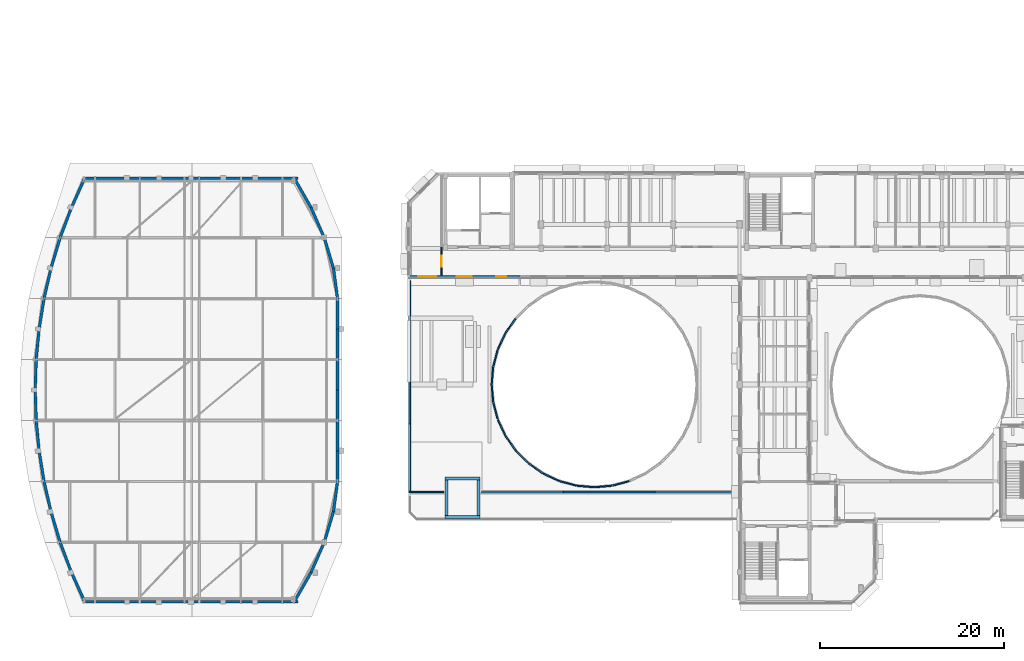
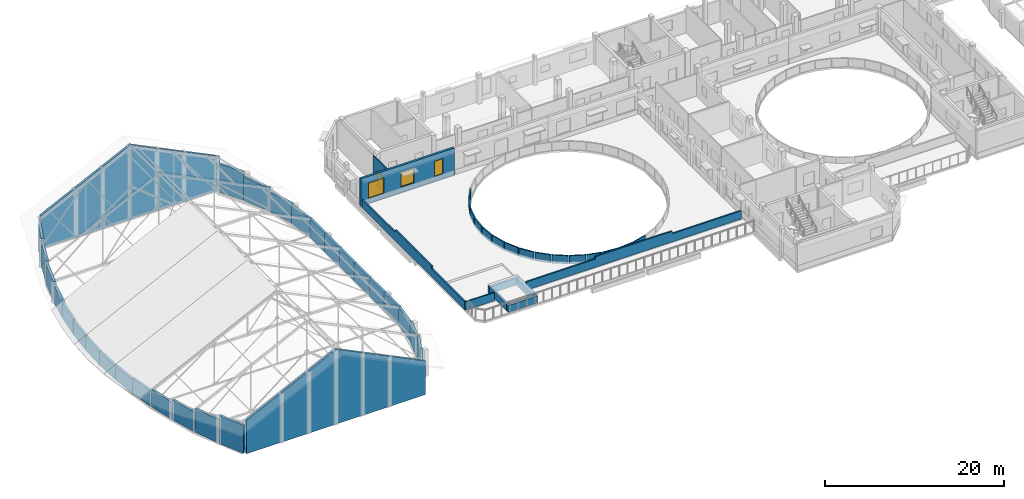
# One storey, part 59 of 78: 54 walls, 3 windows, 1 door, 4 openings.
"""IFC4 building model written with IfcOpenShell, lengths in metres."""

from ifc_helpers import new_model, si_unit, direction, frame, frame_2d, origin, place, context, subcontext, project, spatial, polyline, rectangle, outline, extrude, material, layer, layer_set, type_object, element, fill, save


model = new_model("IFC4")

# Units and contexts
model_context = context("Model", 3, precision=1e-05, world=origin(), true_north=direction((0.0, 1.0)))
body_context = subcontext(model_context, "Body", "Model", "MODEL_VIEW")
ifc_project = project(units=[si_unit("LENGTHUNIT", "METRE"), si_unit("AREAUNIT", "SQUARE_METRE"), si_unit("VOLUMEUNIT", "CUBIC_METRE"), si_unit("PLANEANGLEUNIT", "RADIAN"), si_unit("MASSUNIT", "GRAM", prefix="KILO")], contexts=[model_context])

# Site, building, storey
site_placement = place(None, origin())
site = spatial("IfcSite", under=ifc_project, at=site_placement, CompositionType="ELEMENT")
building_placement = place(site_placement, origin())
building = spatial("IfcBuilding", under=site, at=building_placement, Name="Kelanivale Promenade Academy", CompositionType="ELEMENT")
storey_placement = place(building_placement, frame((0.0, 0.0, 16.199951171875)))
storey = spatial("IfcBuildingStorey", under=building, at=storey_placement, Name="L04", CompositionType="ELEMENT", Elevation=16.199951171875)

# Walls
ifc_material_1 = material(Name="Concrete C40/50", Category="concrete")
ifc_layer_1 = layer(ifc_material_1, 0.330078125)
ifc_layer_set_1 = layer_set([ifc_layer_1], Name="Concrete C40/50")
wall_type_1 = type_object("IfcWallType", Name="CW-S1 Wall 330mm", PredefinedType="SHEAR", material=ifc_layer_set_1)
for number, where, z_axis, x_axis, name in (
    (1, (47.155029296875, 42.39990234375, 0.0), (0.0, 0.0, 1.0), (1.0, 0.0, 0.0), "CORE-6 lift overrun shaft wall S"),
    (2, (47.155029296875, 46.590087890625, 0.0), (0.0, 0.0, 1.0), (1.0, 0.0, 0.0), "CORE-6 lift overrun shaft wall N"),
):
    element("IfcWall", number, at=place(storey_placement, frame(where, z_axis=z_axis, x_axis=x_axis)), inside=storey, type_object=wall_type_1, Name=name, PredefinedType="SHEAR", context=body_context, shape_type="SweptSolid", body=[
        extrude(rectangle(XDim=3.81005859375, YDim=0.330078125, at=frame_2d((1.905029296875, 0.0))), origin(), (0.0, 0.0, 1.0), 0.9599609375),
    ])
for number, where, z_axis, x_axis, name in (
    (3, (47.320068359375, 42.56494140625, 0.0), (0.0, 0.0, 1.0), (0.0, 1.0, 0.0), "CORE-6 lift overrun shaft wall W"),
    (4, (50.800048828125, 42.56494140625, 0.0), (0.0, 0.0, 1.0), (0.0, 1.0, 0.0), "CORE-6 lift overrun shaft wall E"),
):
    element("IfcWall", number, at=place(storey_placement, frame(where, z_axis=z_axis, x_axis=x_axis)), inside=storey, type_object=wall_type_1, Name=name, PredefinedType="SHEAR", context=body_context, shape_type="SweptSolid", body=[
        extrude(rectangle(XDim=3.860107421875, YDim=0.330078125, at=frame_2d((1.93017578125, 0.0))), origin(), (0.0, 0.0, 1.0), 0.9599609375),
    ])
ifc_material_2 = material(Name="Insulated terracotta-clad masonry wall 300 mm", Category="masonry")
ifc_layer_2 = layer(ifc_material_2, 0.300048828125)
ifc_layer_set_2 = layer_set([ifc_layer_2], Name="Insulated terracotta-clad masonry wall 300 mm")
wall_type_2 = type_object("IfcWallType", Name="EW-01 Wall 300mm", PredefinedType="SOLIDWALL", material=ifc_layer_set_2)
wall_1_placement = place(storey_placement, frame((6.5029296875, 36.31396484375, 0.0), z_axis=(0.0, 0.0, 1.0), x_axis=(0.414382257429, -0.910102930842, 0.0)))
element("IfcWall", 5, at=wall_1_placement, inside=storey, type_object=wall_type_2, Name="Sports Hall Crescent Pavilion curved terracotta wall L04", PredefinedType="SOLIDWALL", context=body_context, shape_type="SweptSolid", body=[
    extrude(rectangle(XDim=3.3017578125, YDim=0.300048828125, at=frame_2d((1.65087890625, 0.0))), origin(), (0.0, 0.0, 1.0), 3.825927734375),
])
wall_2_placement = place(storey_placement, frame((5.260986328125, 39.62890625, 0.0), z_axis=(0.0, 0.0, 1.0), x_axis=(0.350836219137, -0.936436835746, 0.0)))
element("IfcWall", 6, at=wall_2_placement, inside=storey, type_object=wall_type_2, Name="Sports Hall Crescent Pavilion curved terracotta wall L04", PredefinedType="SOLIDWALL", context=body_context, shape_type="SweptSolid", body=[
    extrude(rectangle(XDim=3.5400390625, YDim=0.300048828125, at=frame_2d((1.77001953125, 0.0))), origin(), (0.0, 0.0, 1.0), 3.218994140625),
])
wall_3_placement = place(storey_placement, frame((4.26806640625, 42.943115234375, 0.0), z_axis=(0.0, 0.0, 1.0), x_axis=(0.286991798892, -0.957933039084, 0.0)))
element("IfcWall", 7, at=wall_3_placement, inside=storey, type_object=wall_type_2, Name="Sports Hall Crescent Pavilion curved terracotta wall L04", PredefinedType="SOLIDWALL", context=body_context, shape_type="SweptSolid", body=[
    extrude(rectangle(XDim=3.459716796875, YDim=0.300048828125, at=frame_2d((1.72998046875, 0.0))), origin(), (0.0, 0.0, 1.0), 2.734130859375),
])
wall_4_placement = place(storey_placement, frame((3.509033203125, 46.257080078125, 0.0), z_axis=(0.0, 0.0, 1.0), x_axis=(0.223259599234, -0.974759022195, 0.0)))
element("IfcWall", 8, at=wall_4_placement, inside=storey, type_object=wall_type_2, Name="Sports Hall Crescent Pavilion curved terracotta wall L04", PredefinedType="SOLIDWALL", context=body_context, shape_type="SweptSolid", body=[
    extrude(rectangle(XDim=3.399658203125, YDim=0.300048828125, at=frame_2d((1.69970703125, 0.0))), origin(), (0.0, 0.0, 1.0), 2.364013671875),
])
wall_5_placement = place(storey_placement, frame((2.97412109375, 49.571044921875, 0.0), z_axis=(0.0, 0.0, 1.0), x_axis=(0.159349054769, -0.987222304623, 0.0)))
element("IfcWall", 9, at=wall_5_placement, inside=storey, type_object=wall_type_2, Name="Sports Hall Crescent Pavilion curved terracotta wall L04", PredefinedType="SOLIDWALL", context=body_context, shape_type="SweptSolid", body=[
    extrude(rectangle(XDim=3.35693359375, YDim=0.300048828125, at=frame_2d((1.678466796875, 0.0))), origin(), (0.0, 0.0, 1.0), 2.10205078125),
])
wall_6_placement = place(storey_placement, frame((2.656005859375, 52.885986328125, 0.0), z_axis=(0.0, 0.0, 1.0), x_axis=(0.095525216858, -0.995427010355, 0.0)))
element("IfcWall", 10, at=wall_6_placement, inside=storey, type_object=wall_type_2, Name="Sports Hall Crescent Pavilion curved terracotta wall L04", PredefinedType="SOLIDWALL", context=body_context, shape_type="SweptSolid", body=[
    extrude(rectangle(XDim=3.330078125, YDim=0.300048828125, at=frame_2d((1.6650390625, 0.0))), origin(), (0.0, 0.0, 1.0), 1.947021484375),
])
for number, where, z_axis, x_axis, name in (
    (11, (2.550048828125, 56.199951171875, 0.0), (0.0, 0.0, 1.0), (0.031956559473, -0.999489258725, 0.0), "Sports Hall Crescent Pavilion curved terracotta wall L04"),
    (12, (2.656005859375, 59.513916015625, 0.0), (0.0, 0.0, 1.0), (-0.031956559473, -0.999489258725, 0.0), "Sports Hall Crescent Pavilion curved terracotta wall L04"),
):
    element("IfcWall", number, at=place(storey_placement, frame(where, z_axis=z_axis, x_axis=x_axis)), inside=storey, type_object=wall_type_2, Name=name, PredefinedType="SOLIDWALL", context=body_context, shape_type="SweptSolid", body=[
        extrude(rectangle(XDim=3.315673828125, YDim=0.300048828125, at=frame_2d((1.65771484375, 0.0))), origin(), (0.0, 0.0, 1.0), 1.89501953125),
    ])
wall_7_placement = place(storey_placement, frame((2.97412109375, 62.8291015625, 0.0), z_axis=(0.0, 0.0, 1.0), x_axis=(-0.095518246268, -0.995427679256, 0.0)))
element("IfcWall", 13, at=wall_7_placement, inside=storey, type_object=wall_type_2, Name="Sports Hall Crescent Pavilion curved terracotta wall L04", PredefinedType="SOLIDWALL", context=body_context, shape_type="SweptSolid", body=[
    extrude(rectangle(XDim=3.330322265625, YDim=0.300048828125, at=frame_2d((1.6650390625, 0.0))), origin(), (0.0, 0.0, 1.0), 1.947021484375),
])
wall_8_placement = place(storey_placement, frame((3.509033203125, 66.14306640625, 0.0), z_axis=(0.0, 0.0, 1.0), x_axis=(-0.159349054769, -0.987222304623, 0.0)))
element("IfcWall", 14, at=wall_8_placement, inside=storey, type_object=wall_type_2, Name="Sports Hall Crescent Pavilion curved terracotta wall L04", PredefinedType="SOLIDWALL", context=body_context, shape_type="SweptSolid", body=[
    extrude(rectangle(XDim=3.35693359375, YDim=0.300048828125, at=frame_2d((1.678466796875, 0.0))), origin(), (0.0, 0.0, 1.0), 2.10205078125),
])
wall_9_placement = place(storey_placement, frame((4.26806640625, 69.45703125, 0.0), z_axis=(0.0, 0.0, 1.0), x_axis=(-0.223259599234, -0.974759022195, 0.0)))
element("IfcWall", 15, at=wall_9_placement, inside=storey, type_object=wall_type_2, Name="Sports Hall Crescent Pavilion curved terracotta wall L04", PredefinedType="SOLIDWALL", context=body_context, shape_type="SweptSolid", body=[
    extrude(rectangle(XDim=3.399658203125, YDim=0.300048828125, at=frame_2d((1.69970703125, 0.0))), origin(), (0.0, 0.0, 1.0), 2.364013671875),
])
wall_10_placement = place(storey_placement, frame((5.260986328125, 72.77099609375, 0.0), z_axis=(0.0, 0.0, 1.0), x_axis=(-0.287011200065, -0.957927226379, 0.0)))
element("IfcWall", 16, at=wall_10_placement, inside=storey, type_object=wall_type_2, Name="Sports Hall Crescent Pavilion curved terracotta wall L04", PredefinedType="SOLIDWALL", context=body_context, shape_type="SweptSolid", body=[
    extrude(rectangle(XDim=3.45947265625, YDim=0.300048828125, at=frame_2d((1.729736328125, 0.0))), origin(), (0.0, 0.0, 1.0), 2.734130859375),
])
wall_11_placement = place(storey_placement, frame((6.5029296875, 76.0859375, 0.0), z_axis=(0.0, 0.0, 1.0), x_axis=(-0.350836219137, -0.936436835746, 0.0)))
element("IfcWall", 17, at=wall_11_placement, inside=storey, type_object=wall_type_2, Name="Sports Hall Crescent Pavilion curved terracotta wall L04", PredefinedType="SOLIDWALL", context=body_context, shape_type="SweptSolid", body=[
    extrude(rectangle(XDim=3.5400390625, YDim=0.300048828125, at=frame_2d((1.77001953125, 0.0))), origin(), (0.0, 0.0, 1.0), 3.218994140625),
])
wall_12_placement = place(storey_placement, frame((7.87109375, 79.091064453125, 0.0), z_axis=(0.0, 0.0, 1.0), x_axis=(-0.414354372568, -0.910115626684, 0.0)))
element("IfcWall", 18, at=wall_12_placement, inside=storey, type_object=wall_type_2, Name="Sports Hall Crescent Pavilion curved terracotta wall L04", PredefinedType="SOLIDWALL", context=body_context, shape_type="SweptSolid", body=[
    extrude(rectangle(XDim=3.302001953125, YDim=0.300048828125, at=frame_2d((1.65087890625, 0.0))), origin(), (0.0, 0.0, 1.0), 3.825927734375),
])
wall_13_placement = place(storey_placement, frame((8.011962890625, 33.14990234375, 0.0), z_axis=(0.0, 0.0, 1.0), x_axis=(1.0, 0.0, 0.0)))
element("IfcWall", 19, at=wall_13_placement, inside=storey, type_object=wall_type_2, Name="Sports Hall Crescent Pavilion raked gable closure wall", PredefinedType="SOLIDWALL", context=body_context, shape_type="SweptSolid", body=[
    extrude(outline(polyline([(0.0, 0.0), (23.137939453125, 0.0), (23.137939453125, 4.5810546875), (11.587890625, 10.22216796875), (0.0, 4.56298828125), (0.0, 0.0)])), frame((0.0, 0.14990234375, 0.0), z_axis=(0.0, -1.0, 0.0), x_axis=(1.0, 0.0, 0.0)), (0.0, 0.0, 1.0), 0.300048828125),
])
wall_14_placement = place(storey_placement, frame((31.14990234375, 79.25, 0.0), z_axis=(0.0, 0.0, 1.0), x_axis=(-1.0, 0.0, 0.0)))
element("IfcWall", 20, at=wall_14_placement, inside=storey, type_object=wall_type_2, Name="Sports Hall Crescent Pavilion raked gable closure wall", PredefinedType="SOLIDWALL", context=body_context, shape_type="SweptSolid", body=[
    extrude(outline(polyline([(0.0, 0.0), (23.137939453125, 0.0), (23.137939453125, 4.56298828125), (11.550048828125, 10.22216796875), (0.0, 4.5810546875), (0.0, 0.0)])), frame((0.0, 0.14990234375, 0.0), z_axis=(0.0, -1.0, 0.0), x_axis=(1.0, 0.0, 0.0)), (0.0, 0.0, 1.0), 0.300048828125),
])
wall_15_placement = place(storey_placement, frame((30.819091796875, 33.294921875, 0.0), z_axis=(0.0, 0.0, 1.0), x_axis=(0.497392560198, 0.867525585248, 0.0)))
element("IfcWall", 21, at=wall_15_placement, inside=storey, type_object=wall_type_2, Name="Sports Hall Crescent Pavilion inner crescent wall L04", PredefinedType="SOLIDWALL", context=body_context, shape_type="SweptSolid", body=[
    extrude(rectangle(XDim=3.47998046875, YDim=0.300048828125, at=frame_2d((1.739990234375, 0.0))), origin(), (0.0, 0.0, 1.0), 3.89794921875),
])
wall_16_placement = place(storey_placement, frame((32.550048828125, 36.31396484375, 0.0), z_axis=(0.0, 0.0, 1.0), x_axis=(0.400740958437, 0.916191401526, 0.0)))
element("IfcWall", 22, at=wall_16_placement, inside=storey, type_object=wall_type_2, Name="Sports Hall Crescent Pavilion inner crescent wall L04", PredefinedType="SOLIDWALL", context=body_context, shape_type="SweptSolid", body=[
    extrude(rectangle(XDim=3.6181640625, YDim=0.300048828125, at=frame_2d((1.80908203125, 0.0))), origin(), (0.0, 0.0, 1.0), 3.18896484375),
])
wall_17_placement = place(storey_placement, frame((34.0, 39.62890625, 0.0), z_axis=(0.0, 0.0, 1.0), x_axis=(0.288868004026, 0.957368934241, 0.0)))
element("IfcWall", 23, at=wall_17_placement, inside=storey, type_object=wall_type_2, Name="Sports Hall Crescent Pavilion inner crescent wall L04", PredefinedType="SOLIDWALL", context=body_context, shape_type="SweptSolid", body=[
    extrude(rectangle(XDim=3.461669921875, YDim=0.300048828125, at=frame_2d((1.73095703125, 0.0))), origin(), (0.0, 0.0, 1.0), 2.700927734375),
])
wall_18_placement = place(storey_placement, frame((35.0, 42.943115234375, 0.0), z_axis=(0.0, 0.0, 1.0), x_axis=(0.134539839792, 0.990908185206, 0.0)))
element("IfcWall", 24, at=wall_18_placement, inside=storey, type_object=wall_type_2, Name="Sports Hall Crescent Pavilion inner crescent wall L04", PredefinedType="SOLIDWALL", context=body_context, shape_type="SweptSolid", body=[
    extrude(rectangle(XDim=3.344482421875, YDim=0.300048828125, at=frame_2d((1.67236328125, 0.0))), origin(), (0.0, 0.0, 1.0), 2.48095703125),
])
wall_19_placement = place(storey_placement, frame((35.449951171875, 46.257080078125, 0.0), z_axis=(0.0, 0.0, 1.0), x_axis=(0.0, 1.0, 0.0)))
element("IfcWall", 25, at=wall_19_placement, inside=storey, type_object=wall_type_2, Name="Sports Hall Crescent Pavilion inner crescent wall L04", PredefinedType="SOLIDWALL", context=body_context, shape_type="SweptSolid", body=[
    extrude(rectangle(XDim=3.31396484375, YDim=0.300048828125, at=frame_2d((1.656982421875, 0.0))), origin(), (0.0, 0.0, 1.0), 2.48095703125),
])
wall_20_placement = place(storey_placement, frame((35.449951171875, 49.571044921875, 0.0), z_axis=(0.0, 0.0, 1.0), x_axis=(0.0, 1.0, 0.0)))
element("IfcWall", 26, at=wall_20_placement, inside=storey, type_object=wall_type_2, Name="Sports Hall Crescent Pavilion inner crescent wall L04", PredefinedType="SOLIDWALL", context=body_context, shape_type="SweptSolid", body=[
    extrude(rectangle(XDim=3.31494140625, YDim=0.300048828125, at=frame_2d((1.657470703125, 0.0))), origin(), (0.0, 0.0, 1.0), 2.48095703125),
])
for number, where, z_axis, x_axis, name in (
    (27, (35.449951171875, 52.885986328125, 0.0), (0.0, 0.0, 1.0), (0.0, 1.0, 0.0), "Sports Hall Crescent Pavilion inner crescent wall L04"),
    (28, (35.449951171875, 56.199951171875, 0.0), (0.0, 0.0, 1.0), (0.0, 1.0, 0.0), "Sports Hall Crescent Pavilion inner crescent wall L04"),
):
    element("IfcWall", number, at=place(storey_placement, frame(where, z_axis=z_axis, x_axis=x_axis)), inside=storey, type_object=wall_type_2, Name=name, PredefinedType="SOLIDWALL", context=body_context, shape_type="SweptSolid", body=[
        extrude(rectangle(XDim=3.31396484375, YDim=0.300048828125, at=frame_2d((1.656982421875, 0.0))), origin(), (0.0, 0.0, 1.0), 2.48095703125),
    ])
wall_21_placement = place(storey_placement, frame((35.449951171875, 59.513916015625, 0.0), z_axis=(0.0, 0.0, 1.0), x_axis=(0.0, 1.0, 0.0)))
element("IfcWall", 29, at=wall_21_placement, inside=storey, type_object=wall_type_2, Name="Sports Hall Crescent Pavilion inner crescent wall L04", PredefinedType="SOLIDWALL", context=body_context, shape_type="SweptSolid", body=[
    extrude(rectangle(XDim=3.315185546875, YDim=0.300048828125, at=frame_2d((1.65771484375, 0.0))), origin(), (0.0, 0.0, 1.0), 2.48095703125),
])
wall_22_placement = place(storey_placement, frame((35.449951171875, 62.8291015625, 0.0), z_axis=(0.0, 0.0, 1.0), x_axis=(0.0, 1.0, 0.0)))
element("IfcWall", 30, at=wall_22_placement, inside=storey, type_object=wall_type_2, Name="Sports Hall Crescent Pavilion inner crescent wall L04", PredefinedType="SOLIDWALL", context=body_context, shape_type="SweptSolid", body=[
    extrude(rectangle(XDim=3.31396484375, YDim=0.300048828125, at=frame_2d((1.656982421875, 0.0))), origin(), (0.0, 0.0, 1.0), 2.48095703125),
])
wall_23_placement = place(storey_placement, frame((35.449951171875, 66.14306640625, 0.0), z_axis=(0.0, 0.0, 1.0), x_axis=(-0.134539839792, 0.990908185206, 0.0)))
element("IfcWall", 31, at=wall_23_placement, inside=storey, type_object=wall_type_2, Name="Sports Hall Crescent Pavilion inner crescent wall L04", PredefinedType="SOLIDWALL", context=body_context, shape_type="SweptSolid", body=[
    extrude(rectangle(XDim=3.344482421875, YDim=0.300048828125, at=frame_2d((1.67236328125, 0.0))), origin(), (0.0, 0.0, 1.0), 2.48095703125),
])
wall_24_placement = place(storey_placement, frame((35.0, 69.45703125, 0.0), z_axis=(0.0, 0.0, 1.0), x_axis=(-0.288887509039, 0.957363048755, 0.0)))
element("IfcWall", 32, at=wall_24_placement, inside=storey, type_object=wall_type_2, Name="Sports Hall Crescent Pavilion inner crescent wall L04", PredefinedType="SOLIDWALL", context=body_context, shape_type="SweptSolid", body=[
    extrude(rectangle(XDim=3.461669921875, YDim=0.300048828125, at=frame_2d((1.73095703125, 0.0))), origin(), (0.0, 0.0, 1.0), 2.700927734375),
])
wall_25_placement = place(storey_placement, frame((34.0, 72.77099609375, 0.0), z_axis=(0.0, 0.0, 1.0), x_axis=(-0.400740958437, 0.916191401526, 0.0)))
element("IfcWall", 33, at=wall_25_placement, inside=storey, type_object=wall_type_2, Name="Sports Hall Crescent Pavilion inner crescent wall L04", PredefinedType="SOLIDWALL", context=body_context, shape_type="SweptSolid", body=[
    extrude(rectangle(XDim=3.6181640625, YDim=0.300048828125, at=frame_2d((1.80908203125, 0.0))), origin(), (0.0, 0.0, 1.0), 3.18896484375),
])
wall_26_placement = place(storey_placement, frame((32.550048828125, 76.0859375, 0.0), z_axis=(0.0, 0.0, 1.0), x_axis=(-0.497392560198, 0.867525585248, 0.0)))
element("IfcWall", 34, at=wall_26_placement, inside=storey, type_object=wall_type_2, Name="Sports Hall Crescent Pavilion inner crescent wall L04", PredefinedType="SOLIDWALL", context=body_context, shape_type="SweptSolid", body=[
    extrude(rectangle(XDim=3.47998046875, YDim=0.300048828125, at=frame_2d((1.739990234375, 0.0))), origin(), (0.0, 0.0, 1.0), 3.89794921875),
])

# Wall, openings, windows
ifc_material_3 = material(Name="Insulated ivory stucco masonry wall 280 mm", Category="masonry")
ifc_layer_3 = layer(ifc_material_3, 0.280029296875)
ifc_layer_set_3 = layer_set([ifc_layer_3], Name="Insulated ivory stucco masonry wall 280 mm")
wall_type_3 = type_object("IfcWallType", Name="EW-02 Wall 280mm", PredefinedType="SOLIDWALL", material=ifc_layer_set_3)
wall_27_placement = place(storey_placement, frame((43.199951171875, 68.5400390625, 0.0), z_axis=(0.0, 0.0, 1.0), x_axis=(1.0, 0.0, 0.0)))
wall_27 = element("IfcWall", 35, at=wall_27_placement, inside=storey, type_object=wall_type_3, Name="L04 exterior facade wall EW-L04-ORT-0549", PredefinedType="SOLIDWALL", context=body_context, shape_type="SweptSolid", body=[
    extrude(rectangle(XDim=12.093017578125, YDim=0.280029296875, at=frame_2d((6.04638671875, 0.0))), origin(), (0.0, 0.0, 1.0), 3.780029296875),
])
opening_1_placement = place(wall_27_placement, frame((1.014892578125, 0.0, 0.75)))
opening_1 = element("IfcOpeningElement", 36, at=opening_1_placement, cuts=wall_27, Name="Opening WT-14", PredefinedType="OPENING", context=body_context, shape_type="SweptSolid", body=[
    extrude(rectangle(XDim=2.0, YDim=2.10009765625, at=frame_2d((1.0, 1.050048828125))), frame((0.0, 0.14990234375, 0.0), z_axis=(0.0, -1.0, 0.0), x_axis=(1.0, 0.0, 0.0)), (0.0, 0.0, 1.0), 0.300048828125),
])
opening_2_placement = place(wall_27_placement, frame((5.220947265625, 0.0, 0.85009765625)))
opening_2 = element("IfcOpeningElement", 37, at=opening_2_placement, cuts=wall_27, Name="Opening WT-16", PredefinedType="OPENING", context=body_context, shape_type="SweptSolid", body=[
    extrude(rectangle(XDim=1.64990234375, YDim=1.949951171875, at=frame_2d((0.824951171875, 0.97509765625))), frame((0.0, 0.14990234375, 0.0), z_axis=(0.0, -1.0, 0.0), x_axis=(1.0, 0.0, 0.0)), (0.0, 0.0, 1.0), 0.300048828125),
])
opening_3_placement = place(wall_27_placement, frame((9.527099609375, 0.0, 0.75)))
opening_3 = element("IfcOpeningElement", 38, at=opening_3_placement, cuts=wall_27, Name="Opening WT-17", PredefinedType="OPENING", context=body_context, shape_type="SweptSolid", body=[
    extrude(rectangle(XDim=1.10009765625, YDim=2.10009765625, at=frame_2d((0.550048828125, 1.050048828125))), frame((0.0, 0.14990234375, 0.0), z_axis=(0.0, -1.0, 0.0), x_axis=(1.0, 0.0, 0.0)), (0.0, 0.0, 1.0), 0.300048828125),
])
ifc_material_4 = material(Name="Bronze anodised aluminium frame with low-E laminated glass", Category="aluminium")
window_type_1 = type_object("IfcWindowType", Name="WT-14 Window 2000x2100", PartitioningType="SINGLE_PANEL", PredefinedType="WINDOW", material=ifc_material_4)
window_1_placement = place(opening_1_placement, origin())
window_1 = element("IfcWindow", 39, at=window_1_placement, inside=storey, type_object=window_type_1, Name="Window WT-14", OverallHeight=2.10009765625, OverallWidth=2.0, PartitioningType="SINGLE_PANEL", PredefinedType="WINDOW", context=body_context, shape_type="SweptSolid", body=[
    extrude(rectangle(XDim=2.0, YDim=2.10009765625, at=frame_2d((1.0, 1.050048828125))), frame((0.0, 0.030029296875, 0.0), z_axis=(0.0, -1.0, 0.0), x_axis=(1.0, 0.0, 0.0)), (0.0, 0.0, 1.0), 0.06005859375),
])
fill(opening_1, window_1)
window_type_2 = type_object("IfcWindowType", Name="WT-16 Window 1650x1950", PartitioningType="SINGLE_PANEL", PredefinedType="WINDOW", material=ifc_material_4)
window_2_placement = place(opening_2_placement, origin())
window_2 = element("IfcWindow", 40, at=window_2_placement, inside=storey, type_object=window_type_2, Name="Window WT-16", OverallHeight=1.949951171875, OverallWidth=1.64990234375, PartitioningType="SINGLE_PANEL", PredefinedType="WINDOW", context=body_context, shape_type="SweptSolid", body=[
    extrude(rectangle(XDim=1.64990234375, YDim=1.949951171875, at=frame_2d((0.824951171875, 0.97509765625))), frame((0.0, 0.030029296875, 0.0), z_axis=(0.0, -1.0, 0.0), x_axis=(1.0, 0.0, 0.0)), (0.0, 0.0, 1.0), 0.06005859375),
])
fill(opening_2, window_2)
window_type_3 = type_object("IfcWindowType", Name="WT-17 Window 1100x2100", PartitioningType="SINGLE_PANEL", PredefinedType="WINDOW", material=ifc_material_4)
window_3_placement = place(opening_3_placement, origin())
window_3 = element("IfcWindow", 41, at=window_3_placement, inside=storey, type_object=window_type_3, Name="Window WT-17", OverallHeight=2.10009765625, OverallWidth=1.10009765625, PartitioningType="SINGLE_PANEL", PredefinedType="WINDOW", context=body_context, shape_type="SweptSolid", body=[
    extrude(rectangle(XDim=1.10009765625, YDim=2.10009765625, at=frame_2d((0.550048828125, 1.050048828125))), frame((0.0, 0.030029296875, 0.0), z_axis=(0.0, -1.0, 0.0), x_axis=(1.0, 0.0, 0.0)), (0.0, 0.0, 1.0), 0.06005859375),
])
fill(opening_3, window_3)

# Wall, opening, door
ifc_material_5 = material(Name="Acoustic double-stud gypsum board partition 140 mm", Category="masonry")
ifc_layer_4 = layer(ifc_material_5, 0.139892578125)
ifc_layer_set_4 = layer_set([ifc_layer_4], Name="Acoustic double-stud gypsum board partition 140 mm")
wall_type_4 = type_object("IfcWallType", Name="IW-04 Wall 140mm", PredefinedType="PARTITIONING", material=ifc_layer_set_4)
wall_28_placement = place(storey_placement, frame((46.77001953125, 68.677978515625, 0.0), z_axis=(0.0, 0.0, 1.0), x_axis=(0.0, 1.0, 0.0)))
wall_28 = element("IfcWall", 42, at=wall_28_placement, inside=storey, type_object=wall_type_4, Name="L04 partition Pastoral Seminar Room", PredefinedType="PARTITIONING", context=body_context, shape_type="SweptSolid", body=[
    extrude(rectangle(XDim=3.0419921875, YDim=0.139892578125, at=frame_2d((1.52099609375, 0.0))), origin(), (0.0, 0.0, 1.0), 3.755126953125),
])
opening_4_placement = place(wall_28_placement, frame((0.930908203125, 0.0, 0.0)))
opening_4 = element("IfcOpeningElement", 43, at=opening_4_placement, cuts=wall_28, Name="Opening ID-L04-182", PredefinedType="OPENING", context=body_context, shape_type="SweptSolid", body=[
    extrude(rectangle(XDim=1.179931640625, YDim=2.199951171875, at=frame_2d((0.58984375, 1.10009765625))), frame((0.0, 0.080078125, 0.0), z_axis=(0.0, -1.0, 0.0), x_axis=(1.0, 0.0, 0.0)), (0.0, 0.0, 1.0), 0.159912109375),
])
ifc_material_6 = material(Name="Solid-core tropical teak timber", Category="wood")
door_type = type_object("IfcDoorType", Name="DT-I18 Door 1180x2200", OperationType="NOTDEFINED", PredefinedType="DOOR", material=ifc_material_6)
door_placement = place(opening_4_placement, origin())
door = element("IfcDoor", 44, at=door_placement, inside=storey, type_object=door_type, Name="Pastoral Seminar Room door ID-L04-182", OperationType="SINGLE_SWING_RIGHT", OverallHeight=2.199951171875, OverallWidth=1.179931640625, PredefinedType="DOOR", context=body_context, shape_type="SweptSolid", body=[
    extrude(rectangle(XDim=1.179931640625, YDim=2.199951171875, at=frame_2d((0.58984375, 1.10009765625))), frame((0.0, 0.02490234375, 0.0), z_axis=(0.0, -1.0, 0.0), x_axis=(1.0, 0.0, 0.0)), (0.0, 0.0, 1.0), 0.050048828125),
])
fill(opening_4, door)

# Walls
ifc_material_7 = material(Name="Precast concrete C40/50", Category="concrete")
ifc_layer_5 = layer(ifc_material_7, 0.195068359375)
ifc_layer_set_5 = layer_set([ifc_layer_5], Name="Precast concrete C40/50")
wall_type_5 = type_object("IfcWallType", Name="PW-01 Wall 195mm", PredefinedType="PARAPET", material=ifc_layer_set_5)
wall_29_placement = place(storey_placement, frame((43.298095703125, 68.080078125, 0.0), z_axis=(0.0, 0.0, 1.0), x_axis=(0.0, -1.0, 0.0)))
element("IfcWall", 45, at=wall_29_placement, inside=storey, type_object=wall_type_5, Name="L04 stepped Art Deco roof parapet", PredefinedType="PARAPET", context=body_context, shape_type="SweptSolid", body=[
    extrude(outline(polyline([(0.0, 0.0), (22.885009765625, 0.0), (22.885009765625, 1.1201171875), (15.56201171875, 1.1201171875), (15.511962890625, 1.4599609375), (7.373046875, 1.4599609375), (7.322998046875, 1.1201171875), (0.0, 1.1201171875), (0.0, 0.0)])), frame((0.0, 0.09765625, 0.0), z_axis=(0.0, -1.0, 0.0), x_axis=(1.0, 0.0, 0.0)), (0.0, 0.0, 1.0), 0.195068359375),
])
wall_30_placement = place(storey_placement, frame((51.1201171875, 45.097900390625, 0.0), z_axis=(0.0, 0.0, 1.0), x_axis=(1.0, 0.0, 0.0)))
element("IfcWall", 46, at=wall_30_placement, inside=storey, type_object=wall_type_5, Name="L04 stepped Art Deco roof parapet", PredefinedType="PARAPET", context=body_context, shape_type="SweptSolid", body=[
    extrude(outline(polyline([(0.0, 0.0), (27.759765625, 0.0), (27.760009765625, 1.1201171875), (18.876953125, 1.1201171875), (18.826904296875, 1.4599609375), (8.93310546875, 1.4599609375), (8.883056640625, 1.1201171875), (0.0, 1.1201171875), (0.0, 0.0)])), frame((0.0, 0.09765625, 0.0), z_axis=(0.0, -1.0, 0.0), x_axis=(1.0, 0.0, 0.0)), (0.0, 0.0, 1.0), 0.195068359375),
])
ifc_layer_6 = layer(ifc_material_7, 0.1650390625)
ifc_layer_set_6 = layer_set([ifc_layer_6], Name="Precast concrete C40/50")
wall_type_6 = type_object("IfcWallType", Name="PW-02 Wall 165mm", PredefinedType="PARAPET", material=ifc_layer_set_6)
wall_31_placement = place(storey_placement, frame((43.200927734375, 45.097900390625, 0.0), z_axis=(0.0, 0.0, 1.0), x_axis=(1.0, 0.0, 0.0)))
element("IfcWall", 47, at=wall_31_placement, inside=storey, type_object=wall_type_6, Name="L04 stepped Art Deco roof parapet", PredefinedType="PARAPET", context=body_context, shape_type="SweptSolid", body=[
    extrude(rectangle(XDim=3.799072265625, YDim=0.1650390625, at=frame_2d((1.8994140625, 0.0))), origin(), (0.0, 0.0, 1.0), 1.1201171875),
])
wall_32_placement = place(storey_placement, frame((54.81298828125, 63.9541015625, 0.0), z_axis=(0.0, 0.0, 1.0), x_axis=(-0.573576307319, -0.819152134638, 0.0)))
element("IfcWall", 48, at=wall_32_placement, inside=storey, type_object=wall_type_6, Name="L04 open courtyard roof parapet PW-02", PredefinedType="PARAPET", context=body_context, shape_type="SweptSolid", body=[
    extrude(rectangle(XDim=1.868896484375, YDim=0.1650390625, at=frame_2d((0.9345703125, 0.0))), origin(), (0.0, 0.0, 1.0), 1.1201171875),
])
wall_33_placement = place(storey_placement, frame((53.700927734375, 62.35400390625, 0.0), z_axis=(0.0, 0.0, 1.0), x_axis=(-0.422649497465, -0.906293220924, 0.0)))
element("IfcWall", 49, at=wall_33_placement, inside=storey, type_object=wall_type_6, Name="L04 open courtyard roof parapet PW-02", PredefinedType="PARAPET", context=body_context, shape_type="SweptSolid", body=[
    extrude(rectangle(XDim=1.869140625, YDim=0.1650390625, at=frame_2d((0.9345703125, 0.0))), origin(), (0.0, 0.0, 1.0), 1.1201171875),
])
wall_34_placement = place(storey_placement, frame((52.884033203125, 60.5849609375, 0.0), z_axis=(0.0, 0.0, 1.0), x_axis=(-0.259069115578, -0.96585878541, 0.0)))
element("IfcWall", 50, at=wall_34_placement, inside=storey, type_object=wall_type_6, Name="L04 open courtyard roof parapet PW-02", PredefinedType="PARAPET", context=body_context, shape_type="SweptSolid", body=[
    extrude(rectangle(XDim=1.86865234375, YDim=0.1650390625, at=frame_2d((0.934326171875, 0.0))), origin(), (0.0, 0.0, 1.0), 1.1201171875),
])
wall_35_placement = place(storey_placement, frame((52.386962890625, 58.700927734375, 0.0), z_axis=(0.0, 0.0, 1.0), x_axis=(-0.087825154617, -0.996135905495, 0.0)))
element("IfcWall", 51, at=wall_35_placement, inside=storey, type_object=wall_type_6, Name="L04 open courtyard roof parapet PW-02", PredefinedType="PARAPET", context=body_context, shape_type="SweptSolid", body=[
    extrude(rectangle(XDim=1.8681640625, YDim=0.1650390625, at=frame_2d((0.93408203125, 0.0))), origin(), (0.0, 0.0, 1.0), 1.1201171875),
])
wall_36_placement = place(storey_placement, frame((52.222900390625, 56.760009765625, 0.0), z_axis=(0.0, 0.0, 1.0), x_axis=(0.08781372239, -0.996136913361, 0.0)))
element("IfcWall", 52, at=wall_36_placement, inside=storey, type_object=wall_type_6, Name="L04 open courtyard roof parapet PW-02", PredefinedType="PARAPET", context=body_context, shape_type="SweptSolid", body=[
    extrude(rectangle(XDim=1.868408203125, YDim=0.1650390625, at=frame_2d((0.93408203125, 0.0))), origin(), (0.0, 0.0, 1.0), 1.1201171875),
])
wall_37_placement = place(storey_placement, frame((52.39990234375, 54.820068359375, 0.0), z_axis=(0.0, 0.0, 1.0), x_axis=(0.259036429006, -0.965867552229, 0.0)))
element("IfcWall", 53, at=wall_37_placement, inside=storey, type_object=wall_type_6, Name="L04 open courtyard roof parapet PW-02", PredefinedType="PARAPET", context=body_context, shape_type="SweptSolid", body=[
    extrude(rectangle(XDim=1.868896484375, YDim=0.1650390625, at=frame_2d((0.9345703125, 0.0))), origin(), (0.0, 0.0, 1.0), 1.1201171875),
])
wall_38_placement = place(storey_placement, frame((52.910888671875, 52.93994140625, 0.0), z_axis=(0.0, 0.0, 1.0), x_axis=(0.422699531641, -0.906269885823, 0.0)))
element("IfcWall", 54, at=wall_38_placement, inside=storey, type_object=wall_type_6, Name="L04 open courtyard roof parapet PW-02", PredefinedType="PARAPET", context=body_context, shape_type="SweptSolid", body=[
    extrude(rectangle(XDim=1.869140625, YDim=0.1650390625, at=frame_2d((0.9345703125, 0.0))), origin(), (0.0, 0.0, 1.0), 1.1201171875),
])
wall_39_placement = place(storey_placement, frame((53.740966796875, 51.177001953125, 0.0), z_axis=(0.0, 0.0, 1.0), x_axis=(0.573576307319, -0.819152134638, 0.0)))
element("IfcWall", 55, at=wall_39_placement, inside=storey, type_object=wall_type_6, Name="L04 open courtyard roof parapet PW-02", PredefinedType="PARAPET", context=body_context, shape_type="SweptSolid", body=[
    extrude(rectangle(XDim=1.868896484375, YDim=0.1650390625, at=frame_2d((0.9345703125, 0.0))), origin(), (0.0, 0.0, 1.0), 1.1201171875),
])
wall_40_placement = place(storey_placement, frame((54.864013671875, 49.5849609375, 0.0), z_axis=(0.0, 0.0, 1.0), x_axis=(0.707106781187, -0.707106781187, 0.0)))
element("IfcWall", 56, at=wall_40_placement, inside=storey, type_object=wall_type_6, Name="L04 open courtyard roof parapet PW-02", PredefinedType="PARAPET", context=body_context, shape_type="SweptSolid", body=[
    extrude(rectangle(XDim=1.8681640625, YDim=0.1650390625, at=frame_2d((0.93408203125, 0.0))), origin(), (0.0, 0.0, 1.0), 1.1201171875),
])
wall_41_placement = place(storey_placement, frame((56.24609375, 48.212890625, 0.0), z_axis=(0.0, 0.0, 1.0), x_axis=(0.819213508421, -0.573488646462, 0.0)))
element("IfcWall", 57, at=wall_41_placement, inside=storey, type_object=wall_type_6, Name="L04 open courtyard roof parapet PW-02", PredefinedType="PARAPET", context=body_context, shape_type="SweptSolid", body=[
    extrude(rectangle(XDim=1.868896484375, YDim=0.1650390625, at=frame_2d((0.9345703125, 0.0))), origin(), (0.0, 0.0, 1.0), 1.1201171875),
])
wall_42_placement = place(storey_placement, frame((57.845947265625, 47.10107421875, 0.0), z_axis=(0.0, 0.0, 1.0), x_axis=(0.906293220924, -0.422649497465, 0.0)))
element("IfcWall", 58, at=wall_42_placement, inside=storey, type_object=wall_type_6, Name="L04 open courtyard roof parapet PW-02", PredefinedType="PARAPET", context=body_context, shape_type="SweptSolid", body=[
    extrude(rectangle(XDim=1.869140625, YDim=0.1650390625, at=frame_2d((0.9345703125, 0.0))), origin(), (0.0, 0.0, 1.0), 1.1201171875),
])
wall_43_placement = place(storey_placement, frame((59.614990234375, 46.283935546875, 0.0), z_axis=(0.0, 0.0, 1.0), x_axis=(0.965891469375, -0.258947232828, 0.0)))
element("IfcWall", 59, at=wall_43_placement, inside=storey, type_object=wall_type_6, Name="L04 open courtyard roof parapet PW-02", PredefinedType="PARAPET", context=body_context, shape_type="SweptSolid", body=[
    extrude(rectangle(XDim=1.86865234375, YDim=0.1650390625, at=frame_2d((0.934326171875, 0.0))), origin(), (0.0, 0.0, 1.0), 1.1201171875),
])
for number, where, z_axis, x_axis, name in (
    (60, (61.4990234375, 45.787109375, 0.0), (0.0, 0.0, 1.0), (0.996136913361, -0.08781372239, 0.0), "L04 open courtyard roof parapet PW-02"),
    (61, (63.43994140625, 45.623046875, 0.0), (0.0, 0.0, 1.0), (0.996136913361, 0.08781372239, 0.0), "L04 open courtyard roof parapet PW-02"),
):
    element("IfcWall", number, at=place(storey_placement, frame(where, z_axis=z_axis, x_axis=x_axis)), inside=storey, type_object=wall_type_6, Name=name, PredefinedType="PARAPET", context=body_context, shape_type="SweptSolid", body=[
        extrude(rectangle(XDim=1.868408203125, YDim=0.1650390625, at=frame_2d((0.93408203125, 0.0))), origin(), (0.0, 0.0, 1.0), 1.1201171875),
    ])
wall_44_placement = place(storey_placement, frame((65.3798828125, 45.800048828125, 0.0), z_axis=(0.0, 0.0, 1.0), x_axis=(0.965900228242, 0.258914559423, 0.0)))
element("IfcWall", 62, at=wall_44_placement, inside=storey, type_object=wall_type_6, Name="L04 open courtyard roof parapet PW-02", PredefinedType="PARAPET", context=body_context, shape_type="SweptSolid", body=[
    extrude(rectangle(XDim=1.868896484375, YDim=0.1650390625, at=frame_2d((0.9345703125, 0.0))), origin(), (0.0, 0.0, 1.0), 1.1201171875),
])

save(model, "model.ifc")
